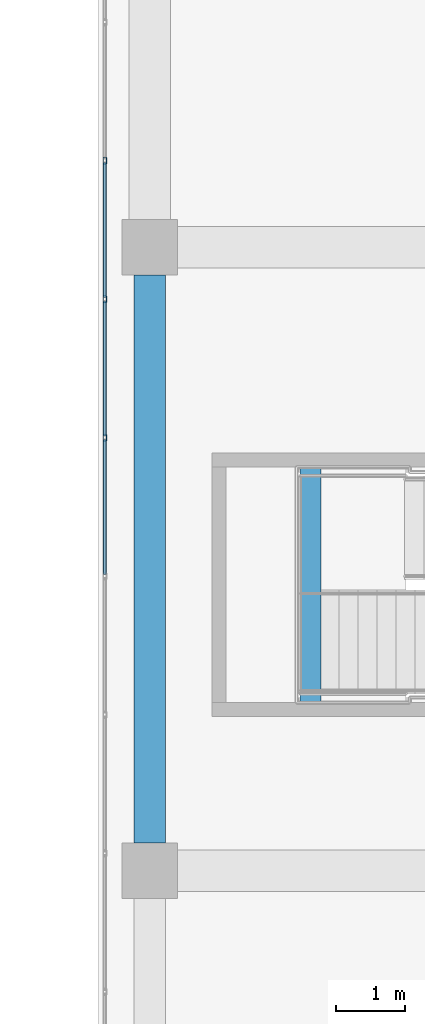
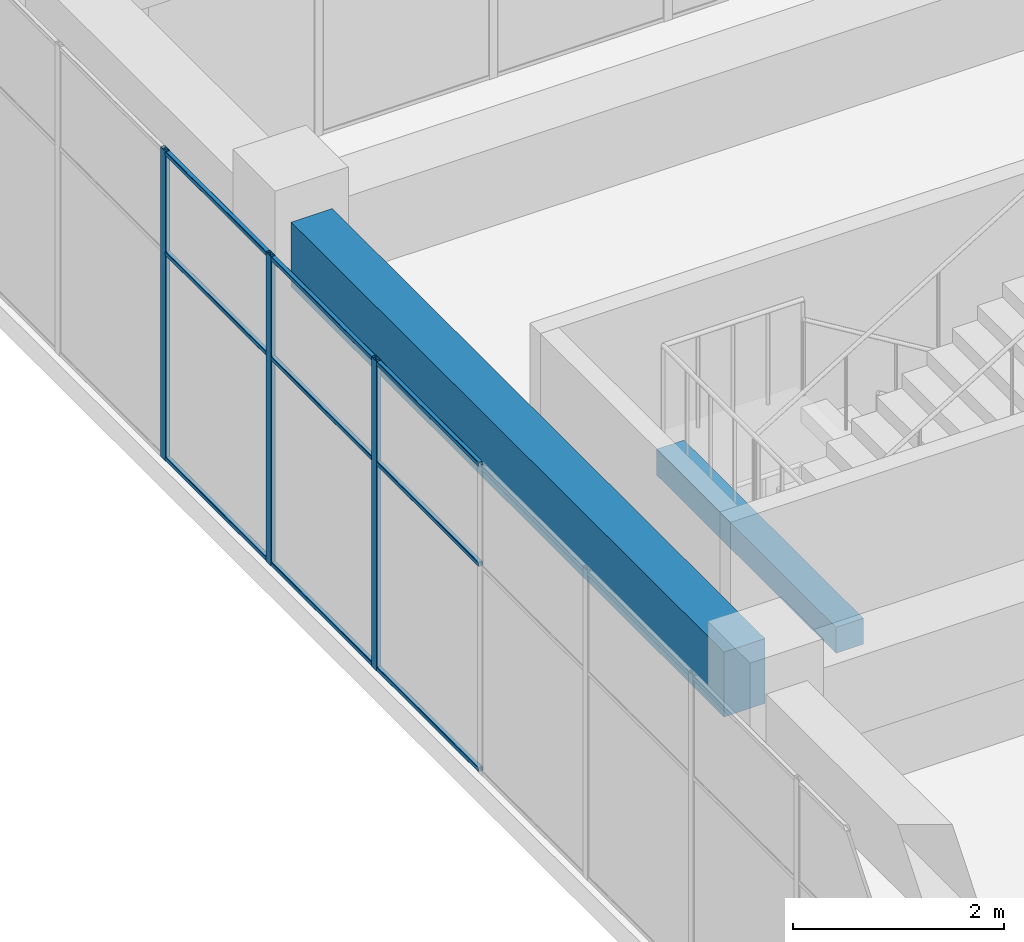
# One storey, part 37 of 72: 12 members, 2 beams, 1 element without a shape of its own.
"""IFC4 building model written with IfcOpenShell, lengths in metres."""

from ifc_helpers import new_model, si_unit, direction, frame, origin, origin_2d, place, context, subcontext, project, spatial, rectangle, hollow_rectangle, extrude, material, layer, layer_set, material_profile, profile_set, type_object, element, aggregate, save


model = new_model("IFC4")

# Units and contexts
model_context = context("Model", 3, precision=1e-05, world=origin(), true_north=direction((0.0, 1.0)))
body_context = subcontext(model_context, "Body", "Model", "MODEL_VIEW")
ifc_project = project(units=[si_unit("LENGTHUNIT", "METRE"), si_unit("AREAUNIT", "SQUARE_METRE"), si_unit("VOLUMEUNIT", "CUBIC_METRE"), si_unit("PLANEANGLEUNIT", "RADIAN"), si_unit("MASSUNIT", "GRAM", prefix="KILO")], contexts=[model_context])

# Site, building, storey
site_placement = place(None, origin())
site = spatial("IfcSite", under=ifc_project, at=site_placement, CompositionType="ELEMENT")
building_placement = place(site_placement, origin())
building = spatial("IfcBuilding", under=site, at=building_placement, Name="Tuart Plaza Theatre", CompositionType="ELEMENT")
storey_placement = place(building_placement, frame((0.0, 0.0, 13.5)))
storey = spatial("IfcBuildingStorey", under=building, at=storey_placement, Name="L03", CompositionType="ELEMENT", Elevation=13.5)

# Beams
ifc_material_1 = material(Name="Concrete N40 (40 MPa)", Category="concrete")
ifc_material_profile_1 = material_profile(ifc_material_1, rectangle(XDim=0.300048828125, YDim=0.300048828125, at=origin_2d()), Name="BEAM 300x300 Concrete N40 (40 MPa)")
ifc_profile_set_1 = profile_set([ifc_material_profile_1], Name="Concrete N40 (40 MPa)")
beam_type_1 = type_object("IfcBeamType", Name="BEAM 300x300 Concrete N40 (40 MPa)", PredefinedType="BEAM", material=ifc_profile_set_1)
beam_1_placement = place(storey_placement, frame((116.320068359375, 88.824951171875, 1.64990234375), z_axis=(0.0, -1.0, 0.0), x_axis=(1.0, 0.0, 0.0)))
element("IfcBeam", 1, at=beam_1_placement, inside=storey, type_object=beam_type_1, Name="RB531", PredefinedType="BEAM", context=body_context, shape_type="SweptSolid", body=[
    extrude(rectangle(XDim=0.300048828125, YDim=0.300048828125, at=origin_2d()), origin(), (0.0, 0.0, 1.0), 3.39990234375),
])
ifc_material_2 = material(Name="Concrete N40 (40 MPa)", Category="concrete")
ifc_material_profile_2 = material_profile(ifc_material_2, rectangle(XDim=0.449951171875, YDim=0.75, at=origin_2d()), Name="BEAM 450x750 Concrete N40 (40 MPa)")
ifc_profile_set_2 = profile_set([ifc_material_profile_2], Name="Concrete N40 (40 MPa)")
beam_type_2 = type_object("IfcBeamType", Name="BEAM 450x750 Concrete N40 (40 MPa)", PredefinedType="BEAM", material=ifc_profile_set_2)
beam_2_placement = place(storey_placement, frame((114.0, 83.39990234375, 3.205078125), z_axis=(0.0, 1.0, 0.0), x_axis=(-1.0, 0.0, 0.0)))
element("IfcBeam", 2, at=beam_2_placement, inside=storey, type_object=beam_type_2, Name="RB168", PredefinedType="BEAM", context=body_context, shape_type="SweptSolid", body=[
    extrude(rectangle(XDim=0.449951171875, YDim=0.75, at=origin_2d()), origin(), (0.0, 0.0, 1.0), 8.2001953125),
])

# Curtain wall, members
ifc_material_3 = material(Name="Aluminium and glass", Category="aluminium")
ifc_layer = layer(ifc_material_3, 0.10009765625)
ifc_layer_set = layer_set([ifc_layer], Name="CURTAIN WALL 2000 module")
curtain_wall_type = type_object("IfcCurtainWallType", Name="CURTAIN WALL 2000 module", PredefinedType="NOTDEFINED", material=ifc_layer_set)
curtain_wall_placement = place(storey_placement, origin())
curtain_wall = element("IfcCurtainWall", 3, at=curtain_wall_placement, inside=storey, type_object=curtain_wall_type, Name="CW73", PredefinedType="NOTDEFINED")
ifc_material_4 = material(Name="Aluminium 6063-T5", Category="aluminium")
ifc_material_profile_3 = material_profile(ifc_material_4, hollow_rectangle(XDim=0.050048828125, YDim=0.10009765625, WallThickness=0.00390625, InnerFilletRadius=0.00390625, OuterFilletRadius=0.008056640625, at=origin_2d()), Name="RHS 100x50x4")
ifc_profile_set_3 = profile_set([ifc_material_profile_3], Name="Aluminium 6063-T5")
member_type_1 = type_object("IfcMemberType", Name="MULLION RHS 100x50x4", PredefinedType="MULLION", material=ifc_profile_set_3)
member_1_placement = place(storey_placement, frame((113.35009765625, 93.25, 0.0), z_axis=(0.0, 0.0, 1.0), x_axis=(1.0, 0.0, 0.0)))
member_1 = element("IfcMember", 4, at=member_1_placement, type_object=member_type_1, Name="CW73 mullion 3", PredefinedType="MULLION", context=body_context, shape_type="SweptSolid", body=[
    extrude(hollow_rectangle(XDim=0.050048828125, YDim=0.10009765625, WallThickness=0.00390625, InnerFilletRadius=0.00390625, OuterFilletRadius=0.008056640625, at=origin_2d()), origin(), (0.0, 0.0, 1.0), 3.580078125),
])
member_2_placement = place(storey_placement, frame((113.35009765625, 91.25, 0.0), z_axis=(0.0, 0.0, 1.0), x_axis=(1.0, 0.0, 0.0)))
member_2 = element("IfcMember", 5, at=member_2_placement, type_object=member_type_1, Name="CW73 mullion 4", PredefinedType="MULLION", context=body_context, shape_type="SweptSolid", body=[
    extrude(hollow_rectangle(XDim=0.050048828125, YDim=0.10009765625, WallThickness=0.00390625, InnerFilletRadius=0.00390625, OuterFilletRadius=0.008056640625, at=origin_2d()), origin(), (0.0, 0.0, 1.0), 3.580078125),
])
member_3_placement = place(storey_placement, frame((113.35009765625, 89.25, 0.0), z_axis=(0.0, 0.0, 1.0), x_axis=(1.0, 0.0, 0.0)))
member_3 = element("IfcMember", 6, at=member_3_placement, type_object=member_type_1, Name="CW73 mullion 5", PredefinedType="MULLION", context=body_context, shape_type="SweptSolid", body=[
    extrude(hollow_rectangle(XDim=0.050048828125, YDim=0.10009765625, WallThickness=0.00390625, InnerFilletRadius=0.00390625, OuterFilletRadius=0.008056640625, at=origin_2d()), origin(), (0.0, 0.0, 1.0), 3.580078125),
])
ifc_material_5 = material(Name="Aluminium 6063-T5", Category="aluminium")
ifc_material_profile_4 = material_profile(ifc_material_5, hollow_rectangle(XDim=0.050048828125, YDim=0.050048828125, WallThickness=0.00390625, InnerFilletRadius=0.00390625, OuterFilletRadius=0.008056640625, at=origin_2d()), Name="RHS 50x50x4")
ifc_profile_set_4 = profile_set([ifc_material_profile_4], Name="Aluminium 6063-T5")
member_type_2 = type_object("IfcMemberType", Name="TRANSOM RHS 50x50x4", PredefinedType="USERDEFINED", material=ifc_profile_set_4)
member_4_placement = place(storey_placement, frame((113.35009765625, 93.22509765625, 0.02490234375), z_axis=(0.0, -1.0, 0.0), x_axis=(1.0, 0.0, 0.0)))
member_4 = element("IfcMember", 7, at=member_4_placement, type_object=member_type_2, Name="CW73 transom 3.1", ObjectType="TRANSOM", PredefinedType="USERDEFINED", context=body_context, shape_type="SweptSolid", body=[
    extrude(hollow_rectangle(XDim=0.050048828125, YDim=0.050048828125, WallThickness=0.00390625, InnerFilletRadius=0.00390625, OuterFilletRadius=0.008056640625, at=origin_2d()), origin(), (0.0, 0.0, 1.0), 1.9501953125),
])
member_5_placement = place(storey_placement, frame((113.35009765625, 93.22509765625, 2.39990234375), z_axis=(0.0, -1.0, 0.0), x_axis=(1.0, 0.0, 0.0)))
member_5 = element("IfcMember", 8, at=member_5_placement, type_object=member_type_2, Name="CW73 transom 3.2", ObjectType="TRANSOM", PredefinedType="USERDEFINED", context=body_context, shape_type="SweptSolid", body=[
    extrude(hollow_rectangle(XDim=0.050048828125, YDim=0.050048828125, WallThickness=0.00390625, InnerFilletRadius=0.00390625, OuterFilletRadius=0.008056640625, at=origin_2d()), origin(), (0.0, 0.0, 1.0), 1.9501953125),
])
member_6_placement = place(storey_placement, frame((113.35009765625, 93.22509765625, 3.554931640625), z_axis=(0.0, -1.0, 0.0), x_axis=(1.0, 0.0, 0.0)))
member_6 = element("IfcMember", 9, at=member_6_placement, type_object=member_type_2, Name="CW73 transom 3.3", ObjectType="TRANSOM", PredefinedType="USERDEFINED", context=body_context, shape_type="SweptSolid", body=[
    extrude(hollow_rectangle(XDim=0.050048828125, YDim=0.050048828125, WallThickness=0.00390625, InnerFilletRadius=0.00390625, OuterFilletRadius=0.008056640625, at=origin_2d()), origin(), (0.0, 0.0, 1.0), 1.9501953125),
])
member_7_placement = place(storey_placement, frame((113.35009765625, 91.22509765625, 0.02490234375), z_axis=(0.0, -1.0, 0.0), x_axis=(1.0, 0.0, 0.0)))
member_7 = element("IfcMember", 10, at=member_7_placement, type_object=member_type_2, Name="CW73 transom 4.1", ObjectType="TRANSOM", PredefinedType="USERDEFINED", context=body_context, shape_type="SweptSolid", body=[
    extrude(hollow_rectangle(XDim=0.050048828125, YDim=0.050048828125, WallThickness=0.00390625, InnerFilletRadius=0.00390625, OuterFilletRadius=0.008056640625, at=origin_2d()), origin(), (0.0, 0.0, 1.0), 1.9501953125),
])
member_8_placement = place(storey_placement, frame((113.35009765625, 91.22509765625, 2.39990234375), z_axis=(0.0, -1.0, 0.0), x_axis=(1.0, 0.0, 0.0)))
member_8 = element("IfcMember", 11, at=member_8_placement, type_object=member_type_2, Name="CW73 transom 4.2", ObjectType="TRANSOM", PredefinedType="USERDEFINED", context=body_context, shape_type="SweptSolid", body=[
    extrude(hollow_rectangle(XDim=0.050048828125, YDim=0.050048828125, WallThickness=0.00390625, InnerFilletRadius=0.00390625, OuterFilletRadius=0.008056640625, at=origin_2d()), origin(), (0.0, 0.0, 1.0), 1.9501953125),
])
member_9_placement = place(storey_placement, frame((113.35009765625, 91.22509765625, 3.554931640625), z_axis=(0.0, -1.0, 0.0), x_axis=(1.0, 0.0, 0.0)))
member_9 = element("IfcMember", 12, at=member_9_placement, type_object=member_type_2, Name="CW73 transom 4.3", ObjectType="TRANSOM", PredefinedType="USERDEFINED", context=body_context, shape_type="SweptSolid", body=[
    extrude(hollow_rectangle(XDim=0.050048828125, YDim=0.050048828125, WallThickness=0.00390625, InnerFilletRadius=0.00390625, OuterFilletRadius=0.008056640625, at=origin_2d()), origin(), (0.0, 0.0, 1.0), 1.9501953125),
])
member_10_placement = place(storey_placement, frame((113.35009765625, 89.22509765625, 0.02490234375), z_axis=(0.0, -1.0, 0.0), x_axis=(1.0, 0.0, 0.0)))
member_10 = element("IfcMember", 13, at=member_10_placement, type_object=member_type_2, Name="CW73 transom 5.1", ObjectType="TRANSOM", PredefinedType="USERDEFINED", context=body_context, shape_type="SweptSolid", body=[
    extrude(hollow_rectangle(XDim=0.050048828125, YDim=0.050048828125, WallThickness=0.00390625, InnerFilletRadius=0.00390625, OuterFilletRadius=0.008056640625, at=origin_2d()), origin(), (0.0, 0.0, 1.0), 1.9501953125),
])
member_11_placement = place(storey_placement, frame((113.35009765625, 89.22509765625, 2.39990234375), z_axis=(0.0, -1.0, 0.0), x_axis=(1.0, 0.0, 0.0)))
member_11 = element("IfcMember", 14, at=member_11_placement, type_object=member_type_2, Name="CW73 transom 5.2", ObjectType="TRANSOM", PredefinedType="USERDEFINED", context=body_context, shape_type="SweptSolid", body=[
    extrude(hollow_rectangle(XDim=0.050048828125, YDim=0.050048828125, WallThickness=0.00390625, InnerFilletRadius=0.00390625, OuterFilletRadius=0.008056640625, at=origin_2d()), origin(), (0.0, 0.0, 1.0), 1.9501953125),
])
member_12_placement = place(storey_placement, frame((113.35009765625, 89.22509765625, 3.554931640625), z_axis=(0.0, -1.0, 0.0), x_axis=(1.0, 0.0, 0.0)))
member_12 = element("IfcMember", 15, at=member_12_placement, type_object=member_type_2, Name="CW73 transom 5.3", ObjectType="TRANSOM", PredefinedType="USERDEFINED", context=body_context, shape_type="SweptSolid", body=[
    extrude(hollow_rectangle(XDim=0.050048828125, YDim=0.050048828125, WallThickness=0.00390625, InnerFilletRadius=0.00390625, OuterFilletRadius=0.008056640625, at=origin_2d()), origin(), (0.0, 0.0, 1.0), 1.9501953125),
])
aggregate(curtain_wall, [member_1, member_2, member_3, member_4, member_5, member_6, member_7, member_8, member_9, member_10, member_11, member_12])

save(model, "model.ifc")
